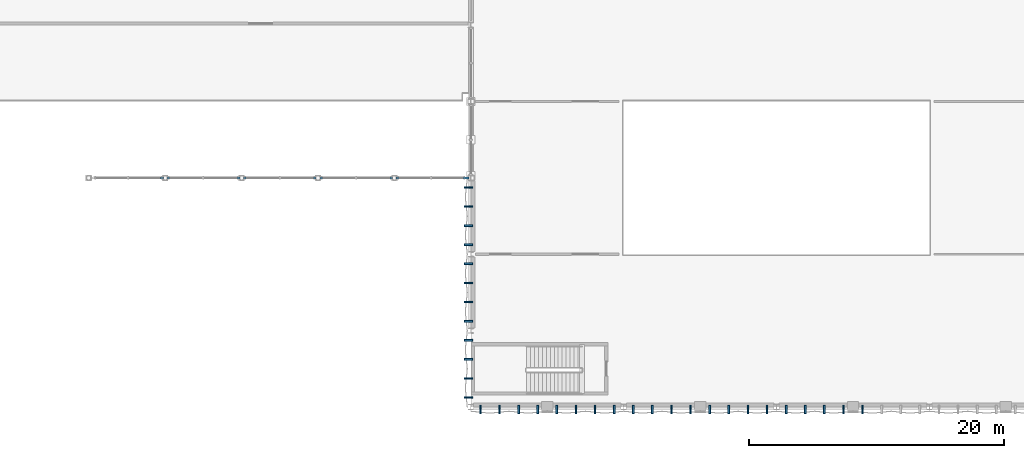
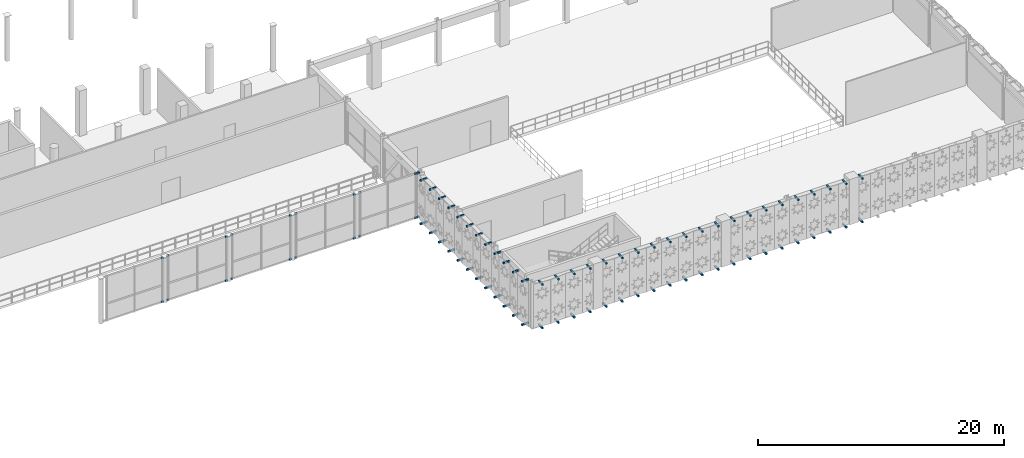
# One storey, part 101 of 116: 84 discrete accessories.
"""IFC4 building model written with IfcOpenShell, lengths in metres."""

from ifc_helpers import new_model, si_unit, direction, frame, origin, origin_2d, place, context, subcontext, project, spatial, rectangle, extrude, material, type_object, element, save


model = new_model("IFC4")

# Units and contexts
model_context = context("Model", 3, precision=1e-05, world=origin(), true_north=direction((0.0, 1.0)))
body_context = subcontext(model_context, "Body", "Model", "MODEL_VIEW")
ifc_project = project(units=[si_unit("LENGTHUNIT", "METRE"), si_unit("AREAUNIT", "SQUARE_METRE"), si_unit("VOLUMEUNIT", "CUBIC_METRE"), si_unit("PLANEANGLEUNIT", "RADIAN"), si_unit("MASSUNIT", "GRAM", prefix="KILO"), si_unit("THERMODYNAMICTEMPERATUREUNIT", "KELVIN"), si_unit("POWERUNIT", "WATT")], contexts=[model_context])

# Site, building, storey
site_placement = place(None, origin())
site = spatial("IfcSite", under=ifc_project, at=site_placement, CompositionType="ELEMENT")
building_placement = place(site_placement, origin())
building = spatial("IfcBuilding", under=site, at=building_placement, Name="Phaisarnlok Congress Hotel", CompositionType="ELEMENT")
storey_placement = place(building_placement, frame((0.0, 0.0, 10.5)))
storey = spatial("IfcBuildingStorey", under=building, at=storey_placement, Name="L02", CompositionType="ELEMENT", Elevation=10.5)

# Discrete accessories
ifc_material = material(Name="Steel S355", Category="steel")
discrete_accessory_type = type_object("IfcDiscreteAccessoryType", Name="ACC-BRK-STL", PredefinedType="BRACKET", material=ifc_material)
for number, where, z_axis, x_axis, name in (
    (1, (71.75, 18.0, 0.0), (0.0, 0.0, 1.0), (1.0, 0.0, 0.0), "Curtain wall steel jamb spider bracket BK-01"),
    (2, (71.75, 18.0, 4.35986328125), (0.0, 0.0, 1.0), (1.0, 0.0, 0.0), "Curtain wall steel jamb spider bracket BK-01"),
    (3, (72.25, 18.0, 0.0), (0.0, 0.0, 1.0), (1.0, 0.0, 0.0), "Curtain wall steel jamb spider bracket BK-01"),
    (4, (72.25, 18.0, 4.35986328125), (0.0, 0.0, 1.0), (1.0, 0.0, 0.0), "Curtain wall steel jamb spider bracket BK-01"),
    (5, (77.75, 18.0, 0.0), (0.0, 0.0, 1.0), (1.0, 0.0, 0.0), "Curtain wall steel jamb spider bracket BK-01"),
    (6, (77.75, 18.0, 4.35986328125), (0.0, 0.0, 1.0), (1.0, 0.0, 0.0), "Curtain wall steel jamb spider bracket BK-01"),
    (7, (78.25, 18.0, 0.0), (0.0, 0.0, 1.0), (1.0, 0.0, 0.0), "Curtain wall steel jamb spider bracket BK-01"),
    (8, (78.25, 18.0, 4.35986328125), (0.0, 0.0, 1.0), (1.0, 0.0, 0.0), "Curtain wall steel jamb spider bracket BK-01"),
    (9, (83.75, 18.0, 0.0), (0.0, 0.0, 1.0), (1.0, 0.0, 0.0), "Curtain wall steel jamb spider bracket BK-01"),
    (10, (83.75, 18.0, 4.35986328125), (0.0, 0.0, 1.0), (1.0, 0.0, 0.0), "Curtain wall steel jamb spider bracket BK-01"),
    (11, (84.25, 18.0, 0.0), (0.0, 0.0, 1.0), (1.0, 0.0, 0.0), "Curtain wall steel jamb spider bracket BK-01"),
    (12, (84.25, 18.0, 4.35986328125), (0.0, 0.0, 1.0), (1.0, 0.0, 0.0), "Curtain wall steel jamb spider bracket BK-01"),
    (13, (89.75, 18.0, 0.0), (0.0, 0.0, 1.0), (1.0, 0.0, 0.0), "Curtain wall steel jamb spider bracket BK-01"),
    (14, (89.75, 18.0, 4.35986328125), (0.0, 0.0, 1.0), (1.0, 0.0, 0.0), "Curtain wall steel jamb spider bracket BK-01"),
    (15, (90.25, 18.0, 0.0), (0.0, 0.0, 1.0), (1.0, 0.0, 0.0), "Curtain wall steel jamb spider bracket BK-01"),
    (16, (90.25, 18.0, 4.35986328125), (0.0, 0.0, 1.0), (1.0, 0.0, 0.0), "Curtain wall steel jamb spider bracket BK-01"),
):
    element("IfcDiscreteAccessory", number, at=place(storey_placement, frame(where, z_axis=z_axis, x_axis=x_axis)), inside=storey, type_object=discrete_accessory_type, Name=name, PredefinedType="BRACKET", context=body_context, shape_type="SweptSolid", body=[
        extrude(rectangle(XDim=0.219970703125, YDim=0.159912109375, at=origin_2d()), origin(), (0.0, 0.0, 1.0), 0.139892578125),
    ])
for number, where, z_axis, x_axis, name in (
    (17, (95.6298828125, 18.0, 0.0), (0.0, 0.0, 1.0), (1.0, 0.0, 0.0), "Curtain wall steel jamb spider bracket BK-01"),
    (18, (95.6298828125, 18.0, 4.35986328125), (0.0, 0.0, 1.0), (1.0, 0.0, 0.0), "Curtain wall steel jamb spider bracket BK-01"),
):
    element("IfcDiscreteAccessory", number, at=place(storey_placement, frame(where, z_axis=z_axis, x_axis=x_axis)), inside=storey, type_object=discrete_accessory_type, Name=name, PredefinedType="BRACKET", context=body_context, shape_type="SweptSolid", body=[
        extrude(rectangle(XDim=0.4599609375, YDim=0.159912109375, at=origin_2d()), origin(), (0.0, 0.0, 1.0), 0.139892578125),
    ])
for number, where, z_axis, x_axis, name in (
    (19, (96.75, -0.183837890625, -0.18017578125), (0.0, 0.0, 1.0), (1.0, 0.0, 0.0), "Solar screen steel outrigger bracket BK-01"),
    (20, (96.75, -0.183837890625, 4.1201171875), (0.0, 0.0, 1.0), (1.0, 0.0, 0.0), "Solar screen steel outrigger bracket BK-01"),
    (21, (98.25, -0.183837890625, -0.18017578125), (0.0, 0.0, 1.0), (1.0, 0.0, 0.0), "Solar screen steel outrigger bracket BK-01"),
    (22, (98.25, -0.183837890625, 4.1201171875), (0.0, 0.0, 1.0), (1.0, 0.0, 0.0), "Solar screen steel outrigger bracket BK-01"),
    (23, (99.75, -0.183837890625, -0.18017578125), (0.0, 0.0, 1.0), (1.0, 0.0, 0.0), "Solar screen steel outrigger bracket BK-01"),
    (24, (99.75, -0.183837890625, 4.1201171875), (0.0, 0.0, 1.0), (1.0, 0.0, 0.0), "Solar screen steel outrigger bracket BK-01"),
    (25, (101.25, -0.183837890625, -0.18017578125), (0.0, 0.0, 1.0), (1.0, 0.0, 0.0), "Solar screen steel outrigger bracket BK-01"),
    (26, (101.25, -0.183837890625, 4.1201171875), (0.0, 0.0, 1.0), (1.0, 0.0, 0.0), "Solar screen steel outrigger bracket BK-01"),
    (27, (102.75, -0.183837890625, -0.18017578125), (0.0, 0.0, 1.0), (1.0, 0.0, 0.0), "Solar screen steel outrigger bracket BK-01"),
    (28, (102.75, -0.183837890625, 4.1201171875), (0.0, 0.0, 1.0), (1.0, 0.0, 0.0), "Solar screen steel outrigger bracket BK-01"),
    (29, (104.25, -0.183837890625, -0.18017578125), (0.0, 0.0, 1.0), (1.0, 0.0, 0.0), "Solar screen steel outrigger bracket BK-01"),
    (30, (104.25, -0.183837890625, 4.1201171875), (0.0, 0.0, 1.0), (1.0, 0.0, 0.0), "Solar screen steel outrigger bracket BK-01"),
    (31, (105.75, -0.183837890625, -0.18017578125), (0.0, 0.0, 1.0), (1.0, 0.0, 0.0), "Solar screen steel outrigger bracket BK-01"),
    (32, (105.75, -0.183837890625, 4.1201171875), (0.0, 0.0, 1.0), (1.0, 0.0, 0.0), "Solar screen steel outrigger bracket BK-01"),
    (33, (107.25, -0.183837890625, -0.18017578125), (0.0, 0.0, 1.0), (1.0, 0.0, 0.0), "Solar screen steel outrigger bracket BK-01"),
    (34, (107.25, -0.183837890625, 4.1201171875), (0.0, 0.0, 1.0), (1.0, 0.0, 0.0), "Solar screen steel outrigger bracket BK-01"),
    (35, (108.75, -0.183837890625, -0.18017578125), (0.0, 0.0, 1.0), (1.0, 0.0, 0.0), "Solar screen steel outrigger bracket BK-01"),
    (36, (108.75, -0.183837890625, 4.1201171875), (0.0, 0.0, 1.0), (1.0, 0.0, 0.0), "Solar screen steel outrigger bracket BK-01"),
    (37, (110.25, -0.183837890625, -0.18017578125), (0.0, 0.0, 1.0), (1.0, 0.0, 0.0), "Solar screen steel outrigger bracket BK-01"),
    (38, (110.25, -0.183837890625, 4.1201171875), (0.0, 0.0, 1.0), (1.0, 0.0, 0.0), "Solar screen steel outrigger bracket BK-01"),
    (39, (111.75, -0.183837890625, -0.18017578125), (0.0, 0.0, 1.0), (1.0, 0.0, 0.0), "Solar screen steel outrigger bracket BK-01"),
    (40, (111.75, -0.183837890625, 4.1201171875), (0.0, 0.0, 1.0), (1.0, 0.0, 0.0), "Solar screen steel outrigger bracket BK-01"),
    (41, (113.25, -0.183837890625, -0.18017578125), (0.0, 0.0, 1.0), (1.0, 0.0, 0.0), "Solar screen steel outrigger bracket BK-01"),
    (42, (113.25, -0.183837890625, 4.1201171875), (0.0, 0.0, 1.0), (1.0, 0.0, 0.0), "Solar screen steel outrigger bracket BK-01"),
    (43, (114.75, -0.183837890625, -0.18017578125), (0.0, 0.0, 1.0), (1.0, 0.0, 0.0), "Solar screen steel outrigger bracket BK-01"),
    (44, (114.75, -0.183837890625, 4.1201171875), (0.0, 0.0, 1.0), (1.0, 0.0, 0.0), "Solar screen steel outrigger bracket BK-01"),
    (45, (116.25, -0.183837890625, -0.18017578125), (0.0, 0.0, 1.0), (1.0, 0.0, 0.0), "Solar screen steel outrigger bracket BK-01"),
    (46, (116.25, -0.183837890625, 4.1201171875), (0.0, 0.0, 1.0), (1.0, 0.0, 0.0), "Solar screen steel outrigger bracket BK-01"),
    (47, (117.75, -0.183837890625, -0.18017578125), (0.0, 0.0, 1.0), (1.0, 0.0, 0.0), "Solar screen steel outrigger bracket BK-01"),
    (48, (117.75, -0.183837890625, 4.1201171875), (0.0, 0.0, 1.0), (1.0, 0.0, 0.0), "Solar screen steel outrigger bracket BK-01"),
    (49, (119.25, -0.183837890625, -0.18017578125), (0.0, 0.0, 1.0), (1.0, 0.0, 0.0), "Solar screen steel outrigger bracket BK-01"),
    (50, (119.25, -0.183837890625, 4.1201171875), (0.0, 0.0, 1.0), (1.0, 0.0, 0.0), "Solar screen steel outrigger bracket BK-01"),
    (51, (120.75, -0.183837890625, -0.18017578125), (0.0, 0.0, 1.0), (1.0, 0.0, 0.0), "Solar screen steel outrigger bracket BK-01"),
    (52, (120.75, -0.183837890625, 4.1201171875), (0.0, 0.0, 1.0), (1.0, 0.0, 0.0), "Solar screen steel outrigger bracket BK-01"),
    (53, (122.25, -0.183837890625, -0.18017578125), (0.0, 0.0, 1.0), (1.0, 0.0, 0.0), "Solar screen steel outrigger bracket BK-01"),
    (54, (122.25, -0.183837890625, 4.1201171875), (0.0, 0.0, 1.0), (1.0, 0.0, 0.0), "Solar screen steel outrigger bracket BK-01"),
    (55, (123.75, -0.183837890625, -0.18017578125), (0.0, 0.0, 1.0), (1.0, 0.0, 0.0), "Solar screen steel outrigger bracket BK-01"),
    (56, (123.75, -0.183837890625, 4.1201171875), (0.0, 0.0, 1.0), (1.0, 0.0, 0.0), "Solar screen steel outrigger bracket BK-01"),
    (57, (125.25, -0.183837890625, -0.18017578125), (0.0, 0.0, 1.0), (1.0, 0.0, 0.0), "Solar screen steel outrigger bracket BK-01"),
    (58, (125.25, -0.183837890625, 4.1201171875), (0.0, 0.0, 1.0), (1.0, 0.0, 0.0), "Solar screen steel outrigger bracket BK-01"),
    (59, (126.75, -0.183837890625, -0.18017578125), (0.0, 0.0, 1.0), (1.0, 0.0, 0.0), "Solar screen steel outrigger bracket BK-01"),
    (60, (126.75, -0.183837890625, 4.1201171875), (0.0, 0.0, 1.0), (1.0, 0.0, 0.0), "Solar screen steel outrigger bracket BK-01"),
):
    element("IfcDiscreteAccessory", number, at=place(storey_placement, frame(where, z_axis=z_axis, x_axis=x_axis)), inside=storey, type_object=discrete_accessory_type, Name=name, PredefinedType="BRACKET", context=body_context, shape_type="SweptSolid", body=[
        extrude(rectangle(XDim=0.139892578125, YDim=0.647705078125, at=origin_2d()), origin(), (0.0, 0.0, 1.0), 0.159912109375),
    ])
for number, where, z_axis, x_axis, name in (
    (61, (95.816162109375, 0.75, -0.18017578125), (0.0, 0.0, 1.0), (1.0, 0.0, 0.0), "Solar screen steel outrigger bracket BK-01"),
    (62, (95.816162109375, 0.75, 4.1201171875), (0.0, 0.0, 1.0), (1.0, 0.0, 0.0), "Solar screen steel outrigger bracket BK-01"),
    (63, (95.816162109375, 2.25, -0.18017578125), (0.0, 0.0, 1.0), (1.0, 0.0, 0.0), "Solar screen steel outrigger bracket BK-01"),
    (64, (95.816162109375, 2.25, 4.1201171875), (0.0, 0.0, 1.0), (1.0, 0.0, 0.0), "Solar screen steel outrigger bracket BK-01"),
    (65, (95.816162109375, 3.75, -0.18017578125), (0.0, 0.0, 1.0), (1.0, 0.0, 0.0), "Solar screen steel outrigger bracket BK-01"),
    (66, (95.816162109375, 3.75, 4.1201171875), (0.0, 0.0, 1.0), (1.0, 0.0, 0.0), "Solar screen steel outrigger bracket BK-01"),
    (67, (95.816162109375, 5.25, -0.18017578125), (0.0, 0.0, 1.0), (1.0, 0.0, 0.0), "Solar screen steel outrigger bracket BK-01"),
    (68, (95.816162109375, 5.25, 4.1201171875), (0.0, 0.0, 1.0), (1.0, 0.0, 0.0), "Solar screen steel outrigger bracket BK-01"),
    (69, (95.816162109375, 6.75, -0.18017578125), (0.0, 0.0, 1.0), (1.0, 0.0, 0.0), "Solar screen steel outrigger bracket BK-01"),
    (70, (95.816162109375, 6.75, 4.1201171875), (0.0, 0.0, 1.0), (1.0, 0.0, 0.0), "Solar screen steel outrigger bracket BK-01"),
    (71, (95.816162109375, 8.25, -0.18017578125), (0.0, 0.0, 1.0), (1.0, 0.0, 0.0), "Solar screen steel outrigger bracket BK-01"),
    (72, (95.816162109375, 8.25, 4.1201171875), (0.0, 0.0, 1.0), (1.0, 0.0, 0.0), "Solar screen steel outrigger bracket BK-01"),
    (73, (95.816162109375, 9.75, -0.18017578125), (0.0, 0.0, 1.0), (1.0, 0.0, 0.0), "Solar screen steel outrigger bracket BK-01"),
    (74, (95.816162109375, 9.75, 4.1201171875), (0.0, 0.0, 1.0), (1.0, 0.0, 0.0), "Solar screen steel outrigger bracket BK-01"),
    (75, (95.816162109375, 11.25, -0.18017578125), (0.0, 0.0, 1.0), (1.0, 0.0, 0.0), "Solar screen steel outrigger bracket BK-01"),
    (76, (95.816162109375, 11.25, 4.1201171875), (0.0, 0.0, 1.0), (1.0, 0.0, 0.0), "Solar screen steel outrigger bracket BK-01"),
    (77, (95.816162109375, 12.75, -0.18017578125), (0.0, 0.0, 1.0), (1.0, 0.0, 0.0), "Solar screen steel outrigger bracket BK-01"),
    (78, (95.816162109375, 12.75, 4.1201171875), (0.0, 0.0, 1.0), (1.0, 0.0, 0.0), "Solar screen steel outrigger bracket BK-01"),
    (79, (95.816162109375, 14.25, -0.18017578125), (0.0, 0.0, 1.0), (1.0, 0.0, 0.0), "Solar screen steel outrigger bracket BK-01"),
    (80, (95.816162109375, 14.25, 4.1201171875), (0.0, 0.0, 1.0), (1.0, 0.0, 0.0), "Solar screen steel outrigger bracket BK-01"),
    (81, (95.816162109375, 15.75, -0.18017578125), (0.0, 0.0, 1.0), (1.0, 0.0, 0.0), "Solar screen steel outrigger bracket BK-01"),
    (82, (95.816162109375, 15.75, 4.1201171875), (0.0, 0.0, 1.0), (1.0, 0.0, 0.0), "Solar screen steel outrigger bracket BK-01"),
    (83, (95.816162109375, 17.25, -0.18017578125), (0.0, 0.0, 1.0), (1.0, 0.0, 0.0), "Solar screen steel outrigger bracket BK-01"),
    (84, (95.816162109375, 17.25, 4.1201171875), (0.0, 0.0, 1.0), (1.0, 0.0, 0.0), "Solar screen steel outrigger bracket BK-01"),
):
    element("IfcDiscreteAccessory", number, at=place(storey_placement, frame(where, z_axis=z_axis, x_axis=x_axis)), inside=storey, type_object=discrete_accessory_type, Name=name, PredefinedType="BRACKET", context=body_context, shape_type="SweptSolid", body=[
        extrude(rectangle(XDim=0.647705078125, YDim=0.139892578125, at=origin_2d()), origin(), (0.0, 0.0, 1.0), 0.159912109375),
    ])

save(model, "model.ifc")
